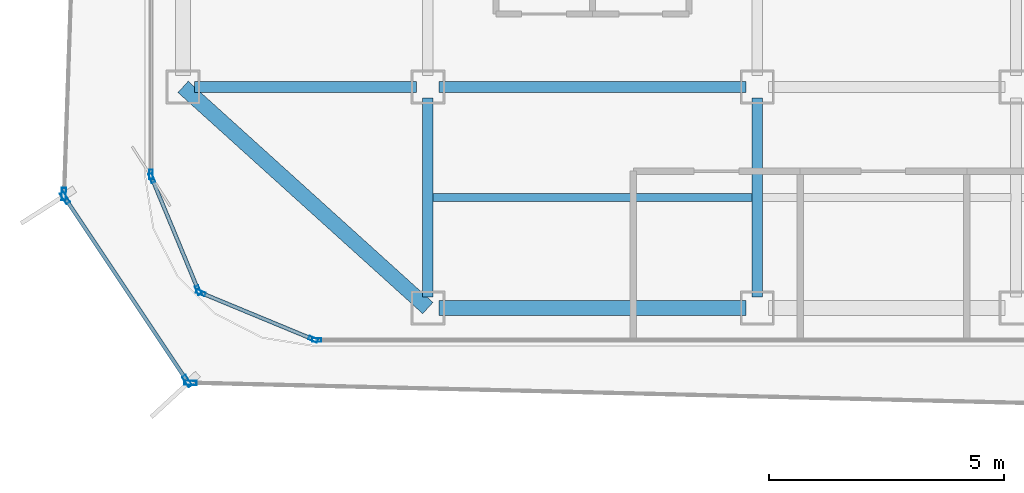
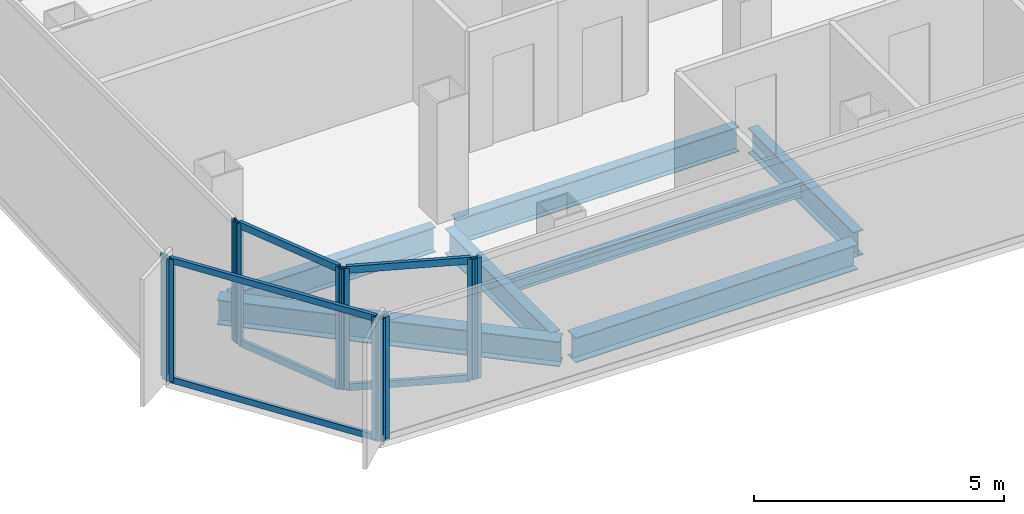
# One storey, part 2 of 15: 16 members, 7 beams, 7 elements without a shape of their own.
"""IFC4 building model written with IfcOpenShell, lengths in metres."""

from ifc_helpers import new_model, si_unit, direction, frame, origin, origin_2d, place, context, subcontext, project, spatial, hollow_rectangle, i_section, extrude, source, transform, mapped, material, layer, layer_set, material_profile, profile_set, type_object, element, aggregate, save


model = new_model("IFC4")

# Units and contexts
model_context = context("Model", 3, precision=1e-05, world=origin(), true_north=direction((0.0, 1.0)))
body_context = subcontext(model_context, "Body", "Model", "MODEL_VIEW")
ifc_project = project(units=[si_unit("LENGTHUNIT", "METRE"), si_unit("AREAUNIT", "SQUARE_METRE"), si_unit("VOLUMEUNIT", "CUBIC_METRE"), si_unit("PLANEANGLEUNIT", "RADIAN"), si_unit("MASSUNIT", "GRAM", prefix="KILO")], contexts=[model_context])

# Site, building, storey
site_placement = place(None, origin())
site = spatial("IfcSite", under=ifc_project, at=site_placement, CompositionType="ELEMENT")
building_placement = place(site_placement, origin())
building = spatial("IfcBuilding", under=site, at=building_placement, Name="Kolveth Station Tower", CompositionType="ELEMENT")
storey_placement = place(building_placement, frame((0.0, 0.0, 181.699951171875)))
storey = spatial("IfcBuildingStorey", under=building, at=storey_placement, Name="L51", CompositionType="ELEMENT", Elevation=181.699951171875)

# Beams
ifc_material_1 = material(Name="Steel S355", Category="steel")
ifc_material_profile_1 = material_profile(ifc_material_1, i_section(OverallWidth=0.323974609375, OverallDepth=0.611083984375, WebThickness=0.0126953125, FlangeThickness=0.01904296875, at=origin_2d()), Name="W610x155")
ifc_profile_set_1 = profile_set([ifc_material_profile_1], Name="Steel S355")
beam_type_1 = type_object("IfcBeamType", Name="Beam_SP2", PredefinedType="SPANDREL", material=ifc_profile_set_1)
shared_shape_1 = source(origin(), body_context, "Body", "SweptSolid", [
    extrude(i_section(OverallWidth=0.323974609375, OverallDepth=0.611083984375, WebThickness=0.0126953125, FlangeThickness=0.01904296875, at=origin_2d()), origin(), (0.0, 0.0, 1.0), 7.00927734375),
])
beam_1_placement = place(storey_placement, frame((0.800048828125, 5.5, -0.555419921875), z_axis=(0.741874009795, -0.670539300557, 0.0), x_axis=(0.670539300557, 0.741874009795, 0.0)))
element("IfcBeam", 1, at=beam_1_placement, inside=storey, type_object=beam_type_1, Name="L51 Corner Edge Girder BM-L51-CNR-SW", PredefinedType="SPANDREL", context=body_context, shape_type="MappedRepresentation", body=[
    mapped(shared_shape_1, transform((0.0, 0.0, 0.0), x_axis=(1.0, 0.0, 0.0), y_axis=(0.0, 1.0, 0.0), z_axis=(0.0, 0.0, 1.0), scale=1.0)),
])
shared_shape_2 = source(origin(), body_context, "Body", "SweptSolid", [
    extrude(i_section(OverallWidth=0.323974609375, OverallDepth=0.611083984375, WebThickness=0.0126953125, FlangeThickness=0.01904296875, at=origin_2d()), origin(), (0.0, 0.0, 1.0), 6.52001953125),
])
beam_2_placement = place(storey_placement, frame((6.239990234375, 0.800048828125, -0.555419921875), z_axis=(1.0, 0.0, 0.0), x_axis=(0.0, 1.0, 0.0)))
element("IfcBeam", 2, at=beam_2_placement, inside=storey, type_object=beam_type_1, Name="L51 Perimeter Spandrel BM-L51-PS-1", PredefinedType="SPANDREL", context=body_context, shape_type="MappedRepresentation", body=[
    mapped(shared_shape_2, transform((0.0, 0.0, 0.0), x_axis=(1.0, 0.0, 0.0), y_axis=(0.0, 1.0, 0.0), z_axis=(0.0, 0.0, 1.0), scale=1.0)),
])
ifc_material_profile_2 = material_profile(ifc_material_1, i_section(OverallWidth=0.22900390625, OverallDepth=0.612060546875, WebThickness=0.011962890625, FlangeThickness=0.01953125, at=origin_2d()), Name="W610x125")
ifc_profile_set_2 = profile_set([ifc_material_profile_2], Name="Steel S355")
beam_type_2 = type_object("IfcBeamType", Name="Beam_B5", PredefinedType="BEAM", material=ifc_profile_set_2)
shared_shape_3 = source(origin(), body_context, "Body", "SweptSolid", [
    extrude(i_section(OverallWidth=0.22900390625, OverallDepth=0.612060546875, WebThickness=0.011962890625, FlangeThickness=0.01953125, at=origin_2d()), origin(), (0.0, 0.0, 1.0), 4.719970703125),
])
beam_3_placement = place(storey_placement, frame((1.0400390625, 5.5, -0.555908203125), z_axis=(1.0, 0.0, 0.0), x_axis=(0.0, 1.0, 0.0)))
element("IfcBeam", 3, at=beam_3_placement, inside=storey, type_object=beam_type_2, Name="L51 Primary Girder BM-L51-GY55-1", PredefinedType="BEAM", context=body_context, shape_type="MappedRepresentation", body=[
    mapped(shared_shape_3, transform((0.0, 0.0, 0.0), x_axis=(1.0, 0.0, 0.0), y_axis=(0.0, 1.0, 0.0), z_axis=(0.0, 0.0, 1.0), scale=1.0)),
])
shared_shape_4 = source(origin(), body_context, "Body", "SweptSolid", [
    extrude(i_section(OverallWidth=0.22900390625, OverallDepth=0.612060546875, WebThickness=0.011962890625, FlangeThickness=0.01953125, at=origin_2d()), origin(), (0.0, 0.0, 1.0), 6.52001953125),
])
beam_4_placement = place(storey_placement, frame((6.239990234375, 5.5, -0.555908203125), z_axis=(1.0, 0.0, 0.0), x_axis=(0.0, 1.0, 0.0)))
element("IfcBeam", 4, at=beam_4_placement, inside=storey, type_object=beam_type_2, Name="L51 Primary Girder BM-L51-GY55-2", PredefinedType="BEAM", context=body_context, shape_type="MappedRepresentation", body=[
    mapped(shared_shape_4, transform((0.0, 0.0, 0.0), x_axis=(1.0, 0.0, 0.0), y_axis=(0.0, 1.0, 0.0), z_axis=(0.0, 0.0, 1.0), scale=1.0)),
])
shared_shape_5 = source(origin(), body_context, "Body", "SweptSolid", [
    extrude(i_section(OverallWidth=0.22900390625, OverallDepth=0.612060546875, WebThickness=0.011962890625, FlangeThickness=0.01953125, at=origin_2d()), origin(), (0.0, 0.0, 1.0), 4.219970703125),
])
for number, where, z_axis, x_axis, name in (
    (5, (6.0, 1.0400390625, -0.555908203125), (0.0, 1.0, 0.0), (-1.0, 0.0, 0.0), "L51 Primary Girder BM-L51-GX60-1"),
    (6, (13.0, 1.0400390625, -0.555908203125), (0.0, 1.0, 0.0), (-1.0, 0.0, 0.0), "L51 Primary Girder BM-L51-GX130-1"),
):
    element("IfcBeam", number, at=place(storey_placement, frame(where, z_axis=z_axis, x_axis=x_axis)), inside=storey, type_object=beam_type_2, Name=name, PredefinedType="BEAM", context=body_context, shape_type="MappedRepresentation", body=[
        mapped(shared_shape_5, transform((0.0, 0.0, 0.0), x_axis=(1.0, 0.0, 0.0), y_axis=(0.0, 1.0, 0.0), z_axis=(0.0, 0.0, 1.0), scale=1.0)),
    ])
ifc_material_profile_3 = material_profile(ifc_material_1, i_section(OverallWidth=0.1708984375, OverallDepth=0.35205078125, WebThickness=0.0068359375, FlangeThickness=0.009765625, at=origin_2d()), Name="W360x44")
ifc_profile_set_3 = profile_set([ifc_material_profile_3], Name="Steel S355")
beam_type_3 = type_object("IfcBeamType", Name="Beam_J2", PredefinedType="JOIST", material=ifc_profile_set_3)
shared_shape_6 = source(origin(), body_context, "Body", "SweptSolid", [
    extrude(i_section(OverallWidth=0.1708984375, OverallDepth=0.35205078125, WebThickness=0.0068359375, FlangeThickness=0.009765625, at=origin_2d()), origin(), (0.0, 0.0, 1.0), 6.77490234375),
])
beam_5_placement = place(storey_placement, frame((6.112548828125, 3.14990234375, -0.426025390625), z_axis=(1.0, 0.0, 0.0), x_axis=(0.0, 1.0, 0.0)))
element("IfcBeam", 7, at=beam_5_placement, inside=storey, type_object=beam_type_3, Name="L51 Secondary Joist JST-L51-2-1", PredefinedType="JOIST", context=body_context, shape_type="MappedRepresentation", body=[
    mapped(shared_shape_6, transform((0.0, 0.0, 0.0), x_axis=(1.0, 0.0, 0.0), y_axis=(0.0, 1.0, 0.0), z_axis=(0.0, 0.0, 1.0), scale=1.0)),
])

# Curtain wall, member
ifc_material_2 = material(Name="Aluminium 6063-T6 and low-E dark glass", Category="aluminium")
ifc_layer_1 = layer(ifc_material_2, 0.18994140625)
ifc_layer_set_1 = layer_set([ifc_layer_1], Name="Aluminium 6063-T6 and low-E dark glass")
curtain_wall_type_1 = type_object("IfcCurtainWallType", Name="CurtainWall_CW-Z2", PredefinedType="NOTDEFINED", material=ifc_layer_set_1)
curtain_wall_1_placement = place(storey_placement, origin())
curtain_wall_1 = element("IfcCurtainWall", 8, at=curtain_wall_1_placement, inside=storey, type_object=curtain_wall_type_1, Name="L51 Inner Thermal Curtain Wall 9", PredefinedType="NOTDEFINED")
ifc_material_3 = material(Name="Black anodized aluminium 6063-T6", Category="aluminium")
ifc_material_profile_4 = material_profile(ifc_material_3, hollow_rectangle(XDim=0.080078125, YDim=0.199951171875, WallThickness=0.0048828125, at=origin_2d()), Name="ALU-80x200x5")
ifc_profile_set_4 = profile_set([ifc_material_profile_4], Name="Black anodized aluminium 6063-T6")
member_type_1 = type_object("IfcMemberType", Name="Mullion_ML2", PredefinedType="MULLION", material=ifc_profile_set_4)
shared_shape_7 = source(origin(), body_context, "Body", "SweptSolid", [
    extrude(hollow_rectangle(XDim=0.080078125, YDim=0.199951171875, WallThickness=0.0048828125, at=origin_2d()), origin(), (0.0, 0.0, 1.0), 2.949951171875),
])
member_1_placement = place(storey_placement, frame((0.1201171875, 3.639892578125, 0.0), z_axis=(0.0, 0.0, 1.0), x_axis=(1.0, 0.0, 0.0)))
member_1 = element("IfcMember", 9, at=member_1_placement, type_object=member_type_1, Name="CW-Z2 mullion 2", PredefinedType="MULLION", context=body_context, shape_type="MappedRepresentation", body=[
    mapped(shared_shape_7, transform((0.0, 0.0, 0.0), x_axis=(1.0, 0.0, 0.0), y_axis=(0.0, 1.0, 0.0), z_axis=(0.0, 0.0, 1.0), scale=1.0)),
])
aggregate(curtain_wall_1, [member_1])

# Curtain wall, members
curtain_wall_2_placement = place(storey_placement, origin())
curtain_wall_2 = element("IfcCurtainWall", 10, at=curtain_wall_2_placement, inside=storey, type_object=curtain_wall_type_1, Name="L51 Inner Thermal Curtain Wall 10", PredefinedType="NOTDEFINED")
member_2_placement = place(storey_placement, frame((0.13525390625, 3.56298828125, 0.0), z_axis=(0.0, 0.0, 1.0), x_axis=(0.923873600544, 0.382697753087, 0.0)))
member_2 = element("IfcMember", 11, at=member_2_placement, type_object=member_type_1, Name="CW-Z2 mullion 1", PredefinedType="MULLION", context=body_context, shape_type="MappedRepresentation", body=[
    mapped(shared_shape_7, transform((0.0, 0.0, 0.0), x_axis=(1.0, 0.0, 0.0), y_axis=(0.0, 1.0, 0.0), z_axis=(0.0, 0.0, 1.0), scale=1.0)),
])
member_3_placement = place(storey_placement, frame((1.1240234375, 1.17626953125, 0.0), z_axis=(0.0, 0.0, 1.0), x_axis=(0.923873600544, 0.382697753087, 0.0)))
member_3 = element("IfcMember", 12, at=member_3_placement, type_object=member_type_1, Name="CW-Z2 mullion 2", PredefinedType="MULLION", context=body_context, shape_type="MappedRepresentation", body=[
    mapped(shared_shape_7, transform((0.0, 0.0, 0.0), x_axis=(1.0, 0.0, 0.0), y_axis=(0.0, 1.0, 0.0), z_axis=(0.0, 0.0, 1.0), scale=1.0)),
])

curtain_wall_3_placement = place(storey_placement, origin())
curtain_wall_3 = element("IfcCurtainWall", 13, at=curtain_wall_3_placement, inside=storey, type_object=curtain_wall_type_1, Name="L51 Inner Thermal Curtain Wall 11", PredefinedType="NOTDEFINED")
member_4_placement = place(storey_placement, frame((1.17626953125, 1.1240234375, 0.0), z_axis=(0.0, 0.0, 1.0), x_axis=(0.382697753087, 0.923873600544, 0.0)))
member_4 = element("IfcMember", 14, at=member_4_placement, type_object=member_type_1, Name="CW-Z2 mullion 1", PredefinedType="MULLION", context=body_context, shape_type="MappedRepresentation", body=[
    mapped(shared_shape_7, transform((0.0, 0.0, 0.0), x_axis=(1.0, 0.0, 0.0), y_axis=(0.0, 1.0, 0.0), z_axis=(0.0, 0.0, 1.0), scale=1.0)),
])
member_5_placement = place(storey_placement, frame((3.56298828125, 0.13525390625, 0.0), z_axis=(0.0, 0.0, 1.0), x_axis=(0.382697753087, 0.923873600544, 0.0)))
member_5 = element("IfcMember", 15, at=member_5_placement, type_object=member_type_1, Name="CW-Z2 mullion 2", PredefinedType="MULLION", context=body_context, shape_type="MappedRepresentation", body=[
    mapped(shared_shape_7, transform((0.0, 0.0, 0.0), x_axis=(1.0, 0.0, 0.0), y_axis=(0.0, 1.0, 0.0), z_axis=(0.0, 0.0, 1.0), scale=1.0)),
])

# Curtain wall, member
curtain_wall_4_placement = place(storey_placement, origin())
curtain_wall_4 = element("IfcCurtainWall", 16, at=curtain_wall_4_placement, inside=storey, type_object=curtain_wall_type_1, Name="L51 Inner Thermal Curtain Wall 12", PredefinedType="NOTDEFINED")
member_6_placement = place(storey_placement, frame((3.639892578125, 0.1201171875, 0.0), z_axis=(0.0, 0.0, 1.0), x_axis=(0.0, 1.0, 0.0)))
member_6 = element("IfcMember", 17, at=member_6_placement, type_object=member_type_1, Name="CW-Z2 mullion 1", PredefinedType="MULLION", context=body_context, shape_type="MappedRepresentation", body=[
    mapped(shared_shape_7, transform((0.0, 0.0, 0.0), x_axis=(1.0, 0.0, 0.0), y_axis=(0.0, 1.0, 0.0), z_axis=(0.0, 0.0, 1.0), scale=1.0)),
])
aggregate(curtain_wall_4, [member_6])

ifc_material_4 = material(Name="Black anodized aluminium 6063-T6 and dark solar glass", Category="aluminium")
ifc_layer_2 = layer(ifc_material_4, 0.159912109375)
ifc_layer_set_2 = layer_set([ifc_layer_2], Name="Black anodized aluminium 6063-T6 and dark solar glass")
curtain_wall_type_2 = type_object("IfcCurtainWallType", Name="OUTER SKIN CW-OS", PredefinedType="NOTDEFINED", material=ifc_layer_set_2)
curtain_wall_5_placement = place(storey_placement, origin())
curtain_wall_5 = element("IfcCurtainWall", 18, at=curtain_wall_5_placement, inside=storey, type_object=curtain_wall_type_2, Name="L51 Outer Ventilated Skin Curtain Wall 6", PredefinedType="NOTDEFINED")
ifc_material_profile_5 = material_profile(ifc_material_3, hollow_rectangle(XDim=0.090087890625, YDim=0.260009765625, WallThickness=0.0048828125, at=origin_2d()), Name="ALU-90x260x5")
ifc_profile_set_5 = profile_set([ifc_material_profile_5], Name="Black anodized aluminium 6063-T6")
member_type_2 = type_object("IfcMemberType", Name="FIN MULLION ML-OS", PredefinedType="MULLION", material=ifc_profile_set_5)
shared_shape_8 = source(origin(), body_context, "Body", "SweptSolid", [
    extrude(hollow_rectangle(XDim=0.090087890625, YDim=0.260009765625, WallThickness=0.0048828125, at=origin_2d()), origin(), (0.0, 0.0, 1.0), 2.989990234375),
])
member_7_placement = place(storey_placement, frame((-1.734619140625, 3.223876953125, 0.0), z_axis=(0.0, 0.0, 1.0), x_axis=(0.999410356255, -0.034335692937, 0.0)))
member_7 = element("IfcMember", 19, at=member_7_placement, type_object=member_type_2, Name="CW-OS mullion 2", PredefinedType="MULLION", context=body_context, shape_type="MappedRepresentation", body=[
    mapped(shared_shape_8, transform((0.0, 0.0, 0.0), x_axis=(1.0, 0.0, 0.0), y_axis=(0.0, 1.0, 0.0), z_axis=(0.0, 0.0, 1.0), scale=1.0)),
])
aggregate(curtain_wall_5, [member_7])

# Curtain wall, members
curtain_wall_6_placement = place(storey_placement, origin())
curtain_wall_6 = element("IfcCurtainWall", 20, at=curtain_wall_6_placement, inside=storey, type_object=curtain_wall_type_2, Name="L51 Outer Ventilated Skin Curtain Wall 7", PredefinedType="NOTDEFINED")
member_8_placement = place(storey_placement, frame((-1.711181640625, 3.141357421875, 0.0), z_axis=(0.0, 0.0, 1.0), x_axis=(0.831756663543, 0.555140390038, 0.0)))
member_8 = element("IfcMember", 21, at=member_8_placement, type_object=member_type_2, Name="CW-OS mullion 1", PredefinedType="MULLION", context=body_context, shape_type="MappedRepresentation", body=[
    mapped(shared_shape_8, transform((0.0, 0.0, 0.0), x_axis=(1.0, 0.0, 0.0), y_axis=(0.0, 1.0, 0.0), z_axis=(0.0, 0.0, 1.0), scale=1.0)),
])
member_9_placement = place(storey_placement, frame((0.88671875, -0.7509765625, 0.0), z_axis=(0.0, 0.0, 1.0), x_axis=(0.831756663543, 0.555140390038, 0.0)))
member_9 = element("IfcMember", 22, at=member_9_placement, type_object=member_type_2, Name="CW-OS mullion 2", PredefinedType="MULLION", context=body_context, shape_type="MappedRepresentation", body=[
    mapped(shared_shape_8, transform((0.0, 0.0, 0.0), x_axis=(1.0, 0.0, 0.0), y_axis=(0.0, 1.0, 0.0), z_axis=(0.0, 0.0, 1.0), scale=1.0)),
])

# Curtain wall, member
curtain_wall_7_placement = place(storey_placement, origin())
curtain_wall_7 = element("IfcCurtainWall", 23, at=curtain_wall_7_placement, inside=storey, type_object=curtain_wall_type_2, Name="L51 Outer Ventilated Skin Curtain Wall 8", PredefinedType="NOTDEFINED")
member_10_placement = place(storey_placement, frame((0.956787109375, -0.78955078125, 0.0), z_axis=(0.0, 0.0, 1.0), x_axis=(0.024258483781, 0.999705719682, 0.0)))
member_10 = element("IfcMember", 24, at=member_10_placement, type_object=member_type_2, Name="CW-OS mullion 1", PredefinedType="MULLION", context=body_context, shape_type="MappedRepresentation", body=[
    mapped(shared_shape_8, transform((0.0, 0.0, 0.0), x_axis=(1.0, 0.0, 0.0), y_axis=(0.0, 1.0, 0.0), z_axis=(0.0, 0.0, 1.0), scale=1.0)),
])
aggregate(curtain_wall_7, [member_10])

# Member
ifc_material_profile_6 = material_profile(ifc_material_3, hollow_rectangle(XDim=0.080078125, YDim=0.169921875, WallThickness=0.0048828125, at=origin_2d()), Name="ALU-80x170x5")
ifc_profile_set_6 = profile_set([ifc_material_profile_6], Name="Black anodized aluminium 6063-T6")
member_type_3 = type_object("IfcMemberType", Name="Transom_TR2", PredefinedType="USERDEFINED", material=ifc_profile_set_6)
shared_shape_9 = source(origin(), body_context, "Body", "SweptSolid", [
    extrude(hollow_rectangle(XDim=0.080078125, YDim=0.169921875, WallThickness=0.0048828125, at=origin_2d()), origin(), (0.0, 0.0, 1.0), 2.50341796875),
])
member_11_placement = place(storey_placement, frame((0.150634765625, 3.526123046875, 0.0400390625), z_axis=(0.382661849723, -0.923888472039, 0.0), x_axis=(0.923888472039, 0.382661849723, 0.0)))
member_11 = element("IfcMember", 25, at=member_11_placement, type_object=member_type_3, Name="CW-Z2 transom 1.1", ObjectType="TRANSOM", PredefinedType="USERDEFINED", context=body_context, shape_type="MappedRepresentation", body=[
    mapped(shared_shape_9, transform((0.0, 0.0, 0.0), x_axis=(1.0, 0.0, 0.0), y_axis=(0.0, 1.0, 0.0), z_axis=(0.0, 0.0, 1.0), scale=1.0)),
])

member_12_placement = place(storey_placement, frame((0.150634765625, 3.526123046875, 2.91015625), z_axis=(0.382661849723, -0.923888472039, 0.0), x_axis=(0.923888472039, 0.382661849723, 0.0)))
member_12 = element("IfcMember", 26, at=member_12_placement, type_object=member_type_3, Name="CW-Z2 transom 1.2", ObjectType="TRANSOM", PredefinedType="USERDEFINED", context=body_context, shape_type="MappedRepresentation", body=[
    mapped(shared_shape_9, transform((0.0, 0.0, 0.0), x_axis=(1.0, 0.0, 0.0), y_axis=(0.0, 1.0, 0.0), z_axis=(0.0, 0.0, 1.0), scale=1.0)),
])

aggregate(curtain_wall_2, [member_2, member_3, member_11, member_12])

member_13_placement = place(storey_placement, frame((1.213134765625, 1.108642578125, 0.0400390625), z_axis=(0.923888472039, -0.382661849723, 0.0), x_axis=(0.382661849723, 0.923888472039, 0.0)))
member_13 = element("IfcMember", 27, at=member_13_placement, type_object=member_type_3, Name="CW-Z2 transom 1.1", ObjectType="TRANSOM", PredefinedType="USERDEFINED", context=body_context, shape_type="MappedRepresentation", body=[
    mapped(shared_shape_9, transform((0.0, 0.0, 0.0), x_axis=(1.0, 0.0, 0.0), y_axis=(0.0, 1.0, 0.0), z_axis=(0.0, 0.0, 1.0), scale=1.0)),
])

member_14_placement = place(storey_placement, frame((1.213134765625, 1.108642578125, 2.91015625), z_axis=(0.923888472039, -0.382661849723, 0.0), x_axis=(0.382661849723, 0.923888472039, 0.0)))
member_14 = element("IfcMember", 28, at=member_14_placement, type_object=member_type_3, Name="CW-Z2 transom 1.2", ObjectType="TRANSOM", PredefinedType="USERDEFINED", context=body_context, shape_type="MappedRepresentation", body=[
    mapped(shared_shape_9, transform((0.0, 0.0, 0.0), x_axis=(1.0, 0.0, 0.0), y_axis=(0.0, 1.0, 0.0), z_axis=(0.0, 0.0, 1.0), scale=1.0)),
])

aggregate(curtain_wall_3, [member_4, member_5, member_13, member_14])

ifc_material_profile_7 = material_profile(ifc_material_3, hollow_rectangle(XDim=0.080078125, YDim=0.14990234375, WallThickness=0.0048828125, at=origin_2d()), Name="ALU-80x150x5")
ifc_profile_set_7 = profile_set([ifc_material_profile_7], Name="Black anodized aluminium 6063-T6")
member_type_4 = type_object("IfcMemberType", Name="Transom_TR-OS", PredefinedType="USERDEFINED", material=ifc_profile_set_7)
shared_shape_10 = source(origin(), body_context, "Body", "SweptSolid", [
    extrude(hollow_rectangle(XDim=0.080078125, YDim=0.14990234375, WallThickness=0.0048828125, at=origin_2d()), origin(), (0.0, 0.0, 1.0), 4.58984375),
])
member_15_placement = place(storey_placement, frame((-1.686279296875, 3.10400390625, 0.0400390625), z_axis=(0.555154282747, -0.831747390947, 0.0), x_axis=(0.831747390947, 0.555154282747, 0.0)))
member_15 = element("IfcMember", 29, at=member_15_placement, type_object=member_type_4, Name="CW-OS transom 1.1", ObjectType="TRANSOM", PredefinedType="USERDEFINED", context=body_context, shape_type="MappedRepresentation", body=[
    mapped(shared_shape_10, transform((0.0, 0.0, 0.0), x_axis=(1.0, 0.0, 0.0), y_axis=(0.0, 1.0, 0.0), z_axis=(0.0, 0.0, 1.0), scale=1.0)),
])

member_16_placement = place(storey_placement, frame((-1.686279296875, 3.10400390625, 2.949951171875), z_axis=(0.555154282747, -0.831747390947, 0.0), x_axis=(0.831747390947, 0.555154282747, 0.0)))
member_16 = element("IfcMember", 30, at=member_16_placement, type_object=member_type_4, Name="CW-OS transom 1.2", ObjectType="TRANSOM", PredefinedType="USERDEFINED", context=body_context, shape_type="MappedRepresentation", body=[
    mapped(shared_shape_10, transform((0.0, 0.0, 0.0), x_axis=(1.0, 0.0, 0.0), y_axis=(0.0, 1.0, 0.0), z_axis=(0.0, 0.0, 1.0), scale=1.0)),
])

aggregate(curtain_wall_6, [member_8, member_9, member_15, member_16])

save(model, "model.ifc")
